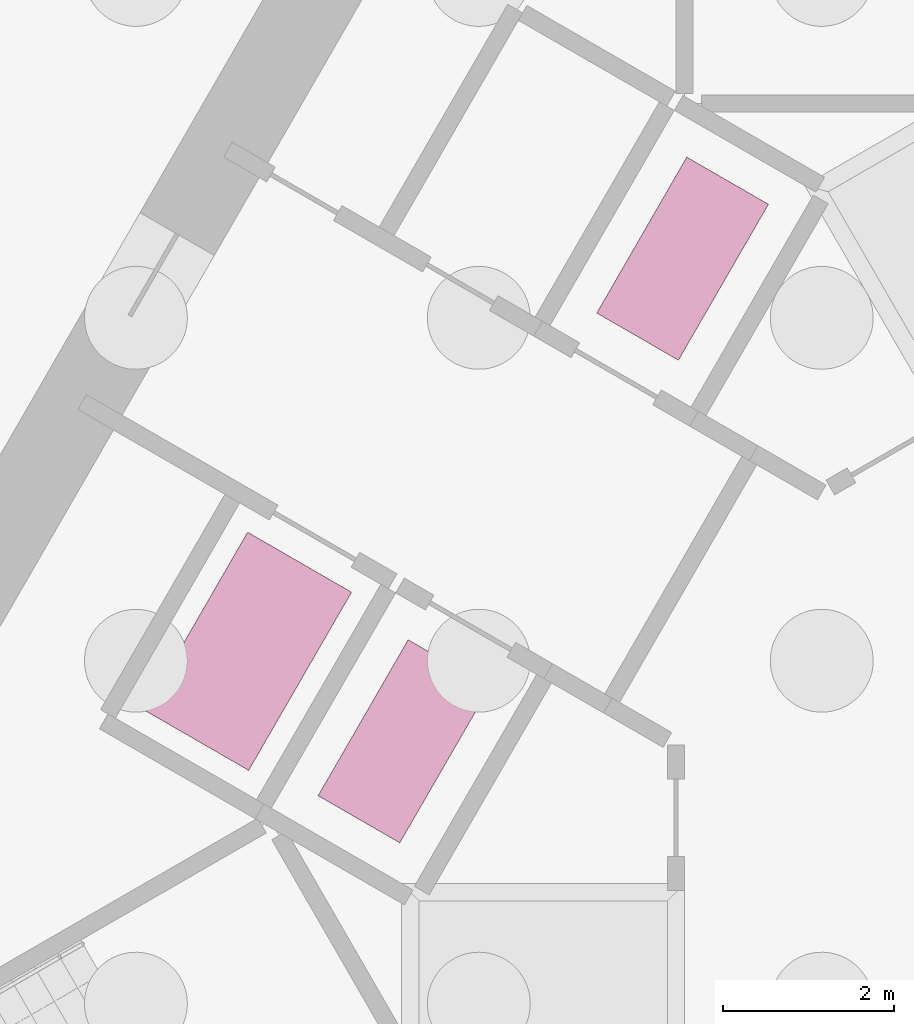
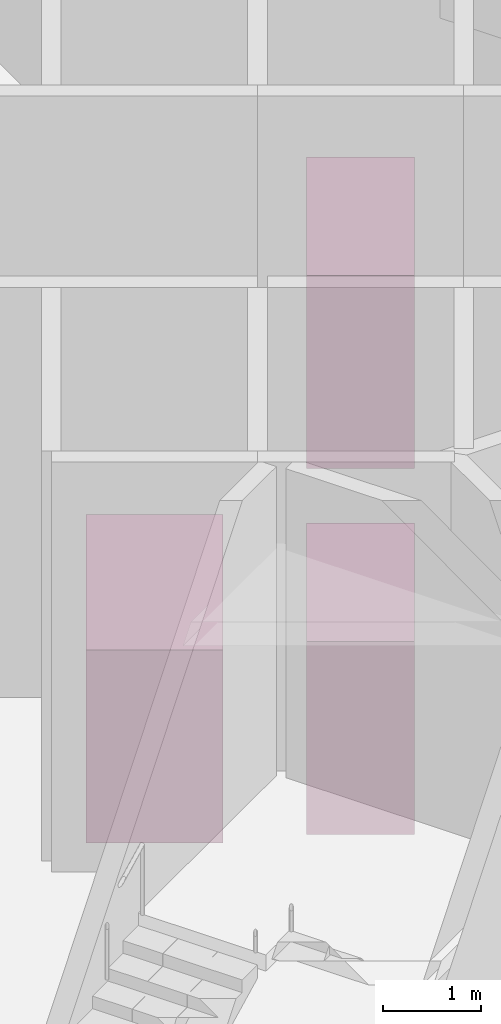
# One storey, part 20 of 20: 3 transport elements.
"""IFC4 building model written with IfcOpenShell, lengths in metres."""

from ifc_helpers import new_model, si_unit, direction, frame, origin, origin_2d, place, context, subcontext, project, spatial, rectangle, extrude, material, type_object, element, save


model = new_model("IFC4")

# Units and contexts
model_context = context("Model", 3, precision=1e-05, world=origin(), true_north=direction((0.0, 1.0)))
body_context = subcontext(model_context, "Body", "Model", "MODEL_VIEW")
ifc_project = project(units=[si_unit("LENGTHUNIT", "METRE"), si_unit("AREAUNIT", "SQUARE_METRE"), si_unit("VOLUMEUNIT", "CUBIC_METRE"), si_unit("PLANEANGLEUNIT", "RADIAN"), si_unit("MASSUNIT", "GRAM", prefix="KILO")], contexts=[model_context])

# Site, building, storey
site_placement = place(None, origin())
site = spatial("IfcSite", under=ifc_project, at=site_placement, CompositionType="ELEMENT")
building_placement = place(site_placement, origin())
building = spatial("IfcBuilding", under=site, at=building_placement, Name="Triada Interchange Tower", CompositionType="ELEMENT")
storey_placement = place(building_placement, frame((0.0, 0.0, -5.5)))
storey = spatial("IfcBuildingStorey", under=building, at=storey_placement, Name="B1", CompositionType="ELEMENT", Elevation=-5.5)

# Transport elements
ifc_material = material(Name="Stainless steel 1.4301 car panels", Category="steel")
transport_element_type_1 = type_object("IfcTransportElementType", Name="FIREFIGHTING LIFT CAR 1000 KG 1100 X 2100", PredefinedType="ELEVATOR", material=ifc_material)
for number, where, z_axis, x_axis, name in (
    (1, (-4.873046875, -0.93994140625, 0.050048828125), (0.0, 0.0, 1.0), (-0.866025403784, 0.5, 0.0), "Lift car FF1"),
    (2, (-1.623046875, 4.68994140625, 0.050048828125), (0.0, 0.0, 1.0), (-0.866025403784, 0.5, 0.0), "Lift car FF2"),
):
    element("IfcTransportElement", number, at=place(storey_placement, frame(where, z_axis=z_axis, x_axis=x_axis)), inside=storey, type_object=transport_element_type_1, Name=name, PredefinedType="ELEVATOR", context=body_context, shape_type="SweptSolid", body=[
        extrude(rectangle(XDim=1.10009765625, YDim=2.10009765625, at=origin_2d()), origin(), (0.0, 0.0, 1.0), 2.39990234375),
    ])
transport_element_type_2 = type_object("IfcTransportElementType", Name="SERVICE LIFT CAR 1600 KG 1400 X 2400", PredefinedType="ELEVATOR", material=ifc_material)
transport_element_placement = place(storey_placement, frame((-6.69091796875, 0.110107421875, 0.050048828125), z_axis=(0.0, 0.0, 1.0), x_axis=(-0.866025403784, 0.5, 0.0)))
element("IfcTransportElement", 3, at=transport_element_placement, inside=storey, type_object=transport_element_type_2, Name="Lift car SV1", PredefinedType="ELEVATOR", context=body_context, shape_type="SweptSolid", body=[
    extrude(rectangle(XDim=1.39990234375, YDim=2.39990234375, at=origin_2d()), origin(), (0.0, 0.0, 1.0), 2.39990234375),
])

save(model, "model.ifc")
